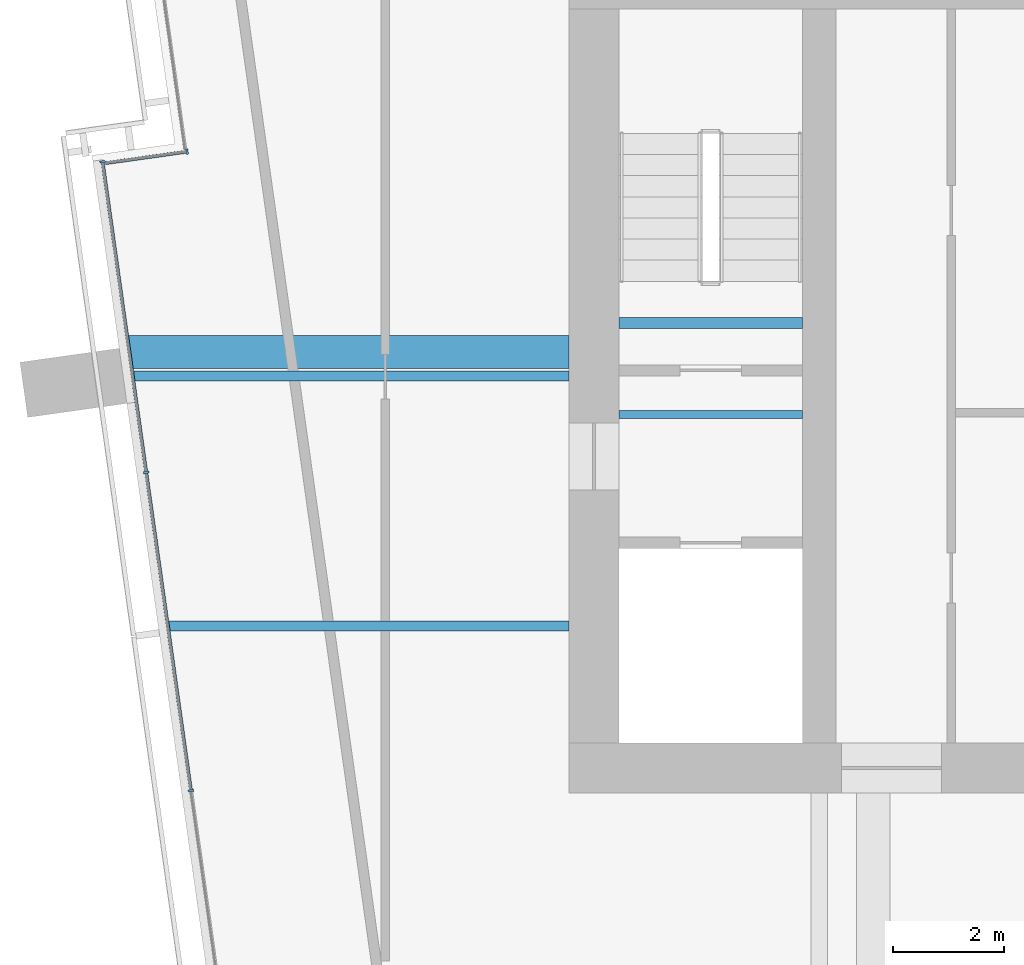
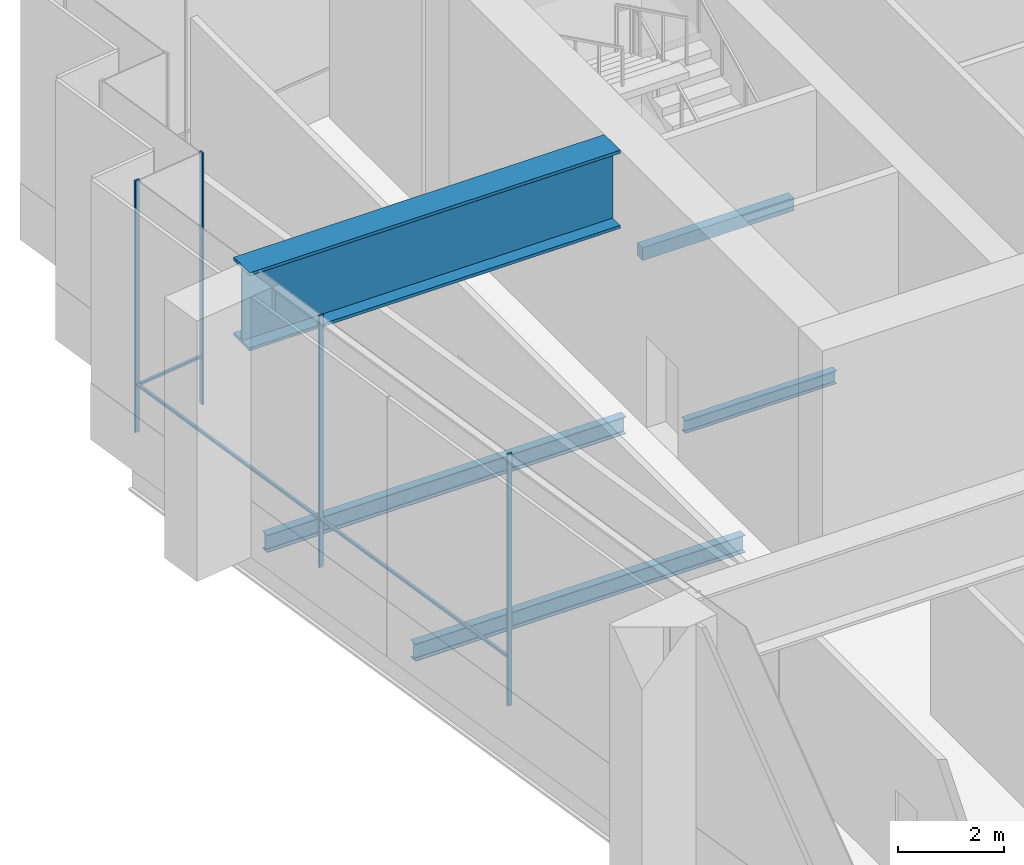
# One storey, part 5 of 25: 7 members, 5 beams, 2 elements without a shape of their own.
"""IFC4 building model written with IfcOpenShell, lengths in metres."""

from ifc_helpers import new_model, si_unit, direction, frame, origin, origin_2d, place, context, subcontext, project, spatial, rectangle, i_section, extrude, material, layer, layer_set, material_profile, profile_set, type_object, element, aggregate, save


model = new_model("IFC4")

# Units and contexts
model_context = context("Model", 3, precision=1e-05, world=origin(), true_north=direction((0.0, 1.0)))
body_context = subcontext(model_context, "Body", "Model", "MODEL_VIEW")
ifc_project = project(units=[si_unit("LENGTHUNIT", "METRE"), si_unit("AREAUNIT", "SQUARE_METRE"), si_unit("VOLUMEUNIT", "CUBIC_METRE"), si_unit("PLANEANGLEUNIT", "RADIAN"), si_unit("MASSUNIT", "GRAM", prefix="KILO")], contexts=[model_context])

# Site, building, storey
site_placement = place(None, origin())
site = spatial("IfcSite", under=ifc_project, at=site_placement, CompositionType="ELEMENT")
building_placement = place(site_placement, origin())
building = spatial("IfcBuilding", under=site, at=building_placement, Name="Rattan Terrace Tower", CompositionType="ELEMENT")
storey_placement = place(building_placement, frame((0.0, 0.0, 286.300048828125)))
storey = spatial("IfcBuildingStorey", under=building, at=storey_placement, Name="L66", CompositionType="ELEMENT", Elevation=286.300048828125)

# Beams
ifc_material_1 = material(Name="Concrete C40/50", Category="concrete")
ifc_material_profile_1 = material_profile(ifc_material_1, rectangle(XDim=0.199951171875, YDim=0.300048828125, at=origin_2d()), Name="RC 200x300")
ifc_profile_set_1 = profile_set([ifc_material_profile_1], Name="Concrete C40/50")
beam_type_1 = type_object("IfcBeamType", Name="Core landing beam RC 200x300", PredefinedType="BEAM", material=ifc_profile_set_1)
beam_1_placement = place(storey_placement, frame((-17.10009765625, 0.949951171875, 2.64990234375), z_axis=(1.0, 0.0, 0.0), x_axis=(0.0, 1.0, 0.0)))
element("IfcBeam", 1, at=beam_1_placement, inside=storey, type_object=beam_type_1, Name="st-S1-L66 landing 2 edge beam", PredefinedType="BEAM", context=body_context, shape_type="SweptSolid", body=[
    extrude(rectangle(XDim=0.199951171875, YDim=0.300048828125, at=origin_2d()), origin(), (0.0, 0.0, 1.0), 3.300048828125),
])
ifc_material_2 = material(Name="Steel S355", Category="steel")
ifc_material_profile_2 = material_profile(ifc_material_2, i_section(OverallWidth=0.14990234375, OverallDepth=0.300048828125, WebThickness=0.007080078125, FlangeThickness=0.0107421875, FilletRadius=0.014892578125, at=origin_2d()), Name="IPE 300")
ifc_profile_set_2 = profile_set([ifc_material_profile_2], Name="Steel S355")
beam_type_2 = type_object("IfcBeamType", Name="Frame floor beam IPE 300", PredefinedType="JOIST", material=ifc_profile_set_2)
beam_2_placement = place(storey_placement, frame((-17.10009765625, -0.695068359375, -0.35009765625), z_axis=(1.0, 0.0, 0.0), x_axis=(0.0, 1.0, 0.0)))
element("IfcBeam", 2, at=beam_2_placement, inside=storey, type_object=beam_type_2, Name="bm-L66-001", PredefinedType="JOIST", context=body_context, shape_type="SweptSolid", body=[
    extrude(i_section(OverallWidth=0.14990234375, OverallDepth=0.300048828125, WebThickness=0.007080078125, FlangeThickness=0.0107421875, FilletRadius=0.014892578125, at=origin_2d()), origin(), (0.0, 0.0, 1.0), 3.300048828125),
])
ifc_material_3 = material(Name="Steel S355", Category="steel")
ifc_material_profile_3 = material_profile(ifc_material_3, i_section(OverallWidth=0.179931640625, OverallDepth=0.39990234375, WebThickness=0.008544921875, FlangeThickness=0.013427734375, FilletRadius=0.02099609375, at=origin_2d()), Name="IPE 400")
ifc_profile_set_3 = profile_set([ifc_material_profile_3], Name="Steel S355")
beam_type_3 = type_object("IfcBeamType", Name="Frame floor beam IPE 400", PredefinedType="JOIST", material=ifc_profile_set_3)
beam_3_placement = place(storey_placement, frame((-25.18701171875, -4.5, -0.400146484375), z_axis=(1.0, 0.0, 0.0), x_axis=(0.0, 1.0, 0.0)))
element("IfcBeam", 3, at=beam_3_placement, inside=storey, type_object=beam_type_3, Name="bm-L66-010", PredefinedType="JOIST", context=body_context, shape_type="SweptSolid", body=[
    extrude(i_section(OverallWidth=0.179931640625, OverallDepth=0.39990234375, WebThickness=0.008544921875, FlangeThickness=0.013427734375, FilletRadius=0.02099609375, at=origin_2d()), origin(), (0.0, 0.0, 1.0), 7.18701171875),
])
beam_4_placement = place(storey_placement, frame((-25.820068359375, 0.0, -0.400146484375), z_axis=(1.0, 0.0, 0.0), x_axis=(0.0, 1.0, 0.0)))
element("IfcBeam", 4, at=beam_4_placement, inside=storey, type_object=beam_type_3, Name="bm-L66-012", PredefinedType="JOIST", context=body_context, shape_type="SweptSolid", body=[
    extrude(i_section(OverallWidth=0.179931640625, OverallDepth=0.39990234375, WebThickness=0.008544921875, FlangeThickness=0.013427734375, FilletRadius=0.02099609375, at=origin_2d()), origin(), (0.0, 0.0, 1.0), 7.820068359375),
])
ifc_material_4 = material(Name="Steel S460", Category="steel")
ifc_material_profile_4 = material_profile(ifc_material_4, i_section(OverallWidth=0.60009765625, OverallDepth=1.800048828125, WebThickness=0.0400390625, FlangeThickness=0.070068359375, at=origin_2d()), Name="PG 1800x600-40-70")
ifc_profile_set_4 = profile_set([ifc_material_profile_4], Name="Steel S460")
beam_type_4 = type_object("IfcBeamType", Name="Frame transfer girder PG 1800x600-40-70", PredefinedType="USERDEFINED", material=ifc_profile_set_4)
beam_5_placement = place(storey_placement, frame((-26.074951171875, 0.429931640625, 4.89990234375), z_axis=(1.0, 0.0, 0.0), x_axis=(0.0, 1.0, 0.0)))
element("IfcBeam", 5, at=beam_5_placement, inside=storey, type_object=beam_type_4, Name="trf-L66-008", ObjectType="TRANSFER GIRDER", PredefinedType="USERDEFINED", context=body_context, shape_type="SweptSolid", body=[
    extrude(i_section(OverallWidth=0.60009765625, OverallDepth=1.800048828125, WebThickness=0.0400390625, FlangeThickness=0.070068359375, at=origin_2d()), origin(), (0.0, 0.0, 1.0), 8.074951171875),
])

# Curtain wall, member
ifc_material_5 = material(Name="Aluminium and structural silicone glass", Category="aluminium")
ifc_layer = layer(ifc_material_5, 0.10009765625)
ifc_layer_set = layer_set([ifc_layer], Name="Observation Structural Silicone Curtain Wall")
curtain_wall_type = type_object("IfcCurtainWallType", Name="Observation Structural Silicone Curtain Wall", PredefinedType="NOTDEFINED", material=ifc_layer_set)
curtain_wall_1_placement = place(storey_placement, origin())
curtain_wall_1 = element("IfcCurtainWall", 6, at=curtain_wall_1_placement, inside=storey, type_object=curtain_wall_type, Name="Observation curtain wall L66-17", PredefinedType="NOTDEFINED")
ifc_material_6 = material(Name="Aluminium", Category="aluminium")
ifc_material_profile_5 = material_profile(ifc_material_6, rectangle(XDim=0.0400390625, YDim=0.10009765625, at=origin_2d()), Name="Aluminium 40x100")
ifc_profile_set_5 = profile_set([ifc_material_profile_5], Name="Aluminium")
member_type_1 = type_object("IfcMemberType", Name="Observation CW Mullion 40x100", PredefinedType="MULLION", material=ifc_profile_set_5)
member_1_placement = place(storey_placement, frame((-24.86328125, 4.032470703125, 0.0), z_axis=(0.0, 0.0, 1.0), x_axis=(-0.99025370695, -0.139275252184, 0.0)))
member_1 = element("IfcMember", 7, at=member_1_placement, type_object=member_type_1, Name="Mullion cwl-L66-017.1", PredefinedType="MULLION", context=body_context, shape_type="SweptSolid", body=[
    extrude(rectangle(XDim=0.0400390625, YDim=0.10009765625, at=origin_2d()), origin(), (0.0, 0.0, 1.0), 5.800048828125),
])

# Curtain wall, members
curtain_wall_2_placement = place(storey_placement, origin())
curtain_wall_2 = element("IfcCurtainWall", 8, at=curtain_wall_2_placement, inside=storey, type_object=curtain_wall_type, Name="Observation curtain wall L66-18", PredefinedType="NOTDEFINED")
member_2_placement = place(storey_placement, frame((-26.383056640625, 3.84912109375, 0.0), z_axis=(0.0, 0.0, 1.0), x_axis=(0.139191775431, -0.990265444036, 0.0)))
member_2 = element("IfcMember", 9, at=member_2_placement, type_object=member_type_1, Name="Mullion cwl-L66-018.1", PredefinedType="MULLION", context=body_context, shape_type="SweptSolid", body=[
    extrude(rectangle(XDim=0.0400390625, YDim=0.10009765625, at=origin_2d()), origin(), (0.0, 0.0, 1.0), 5.800048828125),
])
member_3_placement = place(storey_placement, frame((-25.598388671875, -1.734130859375, 0.0), z_axis=(0.0, 0.0, 1.0), x_axis=(0.139191775431, -0.990265444036, 0.0)))
member_3 = element("IfcMember", 10, at=member_3_placement, type_object=member_type_1, Name="Mullion cwl-L66-018.2", PredefinedType="MULLION", context=body_context, shape_type="SweptSolid", body=[
    extrude(rectangle(XDim=0.0400390625, YDim=0.10009765625, at=origin_2d()), origin(), (0.0, 0.0, 1.0), 5.800048828125),
])
member_4_placement = place(storey_placement, frame((-24.794189453125, -7.455810546875, 0.0), z_axis=(0.0, 0.0, 1.0), x_axis=(0.139191775431, -0.990265444036, 0.0)))
member_4 = element("IfcMember", 11, at=member_4_placement, type_object=member_type_1, Name="Mullion cwl-L66-018.3", PredefinedType="MULLION", context=body_context, shape_type="SweptSolid", body=[
    extrude(rectangle(XDim=0.0400390625, YDim=0.10009765625, at=origin_2d()), origin(), (0.0, 0.0, 1.0), 5.800048828125),
])

# Member
ifc_material_7 = material(Name="Aluminium", Category="aluminium")
ifc_material_profile_6 = material_profile(ifc_material_7, rectangle(XDim=0.06005859375, YDim=0.050048828125, at=origin_2d()), Name="Aluminium 60x50")
ifc_profile_set_6 = profile_set([ifc_material_profile_6], Name="Aluminium")
member_type_2 = type_object("IfcMemberType", Name="Observation CW Transom 60x50", PredefinedType="USERDEFINED", material=ifc_profile_set_6)
member_5_placement = place(storey_placement, frame((-24.883056640625, 4.02978515625, 1.099853515625), z_axis=(-0.990261259755, -0.139221540823, 0.0), x_axis=(0.139221540823, -0.990261259755, 0.0)))
member_5 = element("IfcMember", 12, at=member_5_placement, type_object=member_type_2, Name="Transom cwl-L66-017.1", ObjectType="TRANSOM", PredefinedType="USERDEFINED", context=body_context, shape_type="SweptSolid", body=[
    extrude(rectangle(XDim=0.06005859375, YDim=0.050048828125, at=origin_2d()), origin(), (0.0, 0.0, 1.0), 1.460693359375),
])

aggregate(curtain_wall_1, [member_1, member_5])

member_6_placement = place(storey_placement, frame((-26.38037109375, 3.829345703125, 1.099853515625), z_axis=(0.13920471621, -0.990263624993, 0.0), x_axis=(0.990263624993, 0.13920471621, 0.0)))
member_6 = element("IfcMember", 13, at=member_6_placement, type_object=member_type_2, Name="Transom cwl-L66-018.1", ObjectType="TRANSOM", PredefinedType="USERDEFINED", context=body_context, shape_type="SweptSolid", body=[
    extrude(rectangle(XDim=0.06005859375, YDim=0.050048828125, at=origin_2d()), origin(), (0.0, 0.0, 1.0), 5.59814453125),
])

member_7_placement = place(storey_placement, frame((-25.595703125, -1.75390625, 1.099853515625), z_axis=(0.139217019917, -0.990261895341, 0.0), x_axis=(0.990261895341, 0.139217019917, 0.0)))
member_7 = element("IfcMember", 14, at=member_7_placement, type_object=member_type_2, Name="Transom cwl-L66-018.2", ObjectType="TRANSOM", PredefinedType="USERDEFINED", context=body_context, shape_type="SweptSolid", body=[
    extrude(rectangle(XDim=0.06005859375, YDim=0.050048828125, at=origin_2d()), origin(), (0.0, 0.0, 1.0), 5.738037109375),
])

aggregate(curtain_wall_2, [member_2, member_3, member_4, member_6, member_7])

save(model, "model.ifc")
